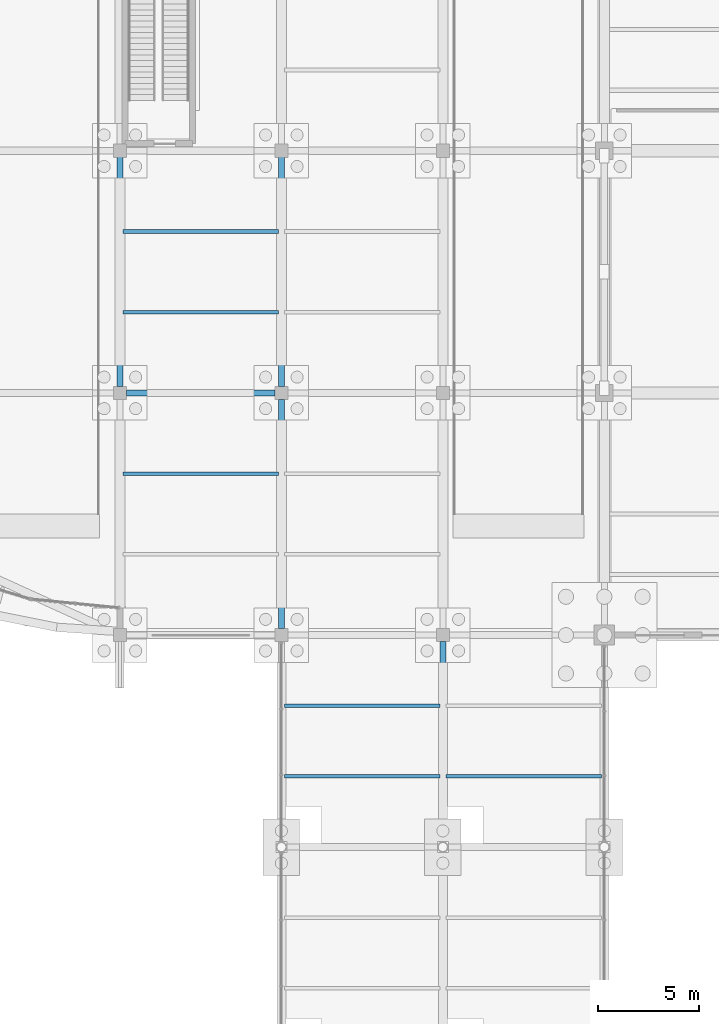
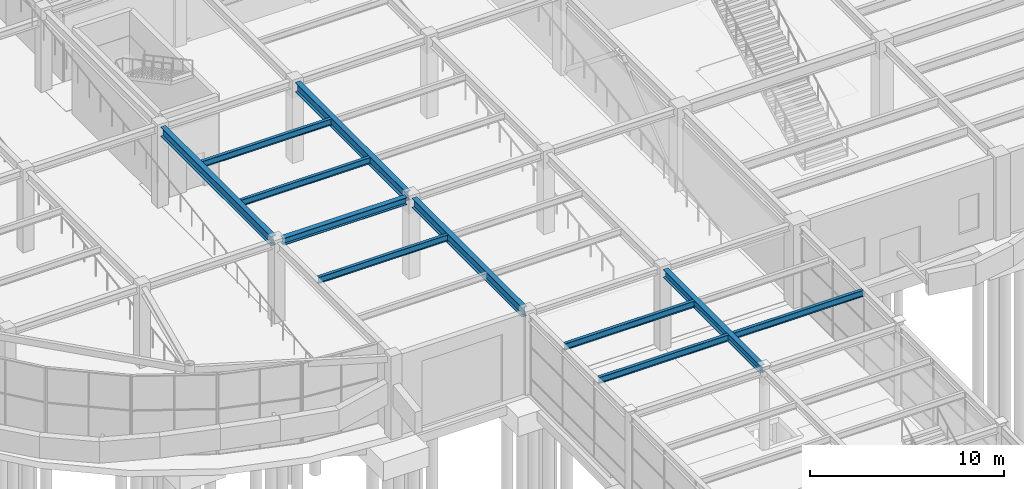
# One storey, part 27 of 85: 11 beams.
"""IFC4 building model written with IfcOpenShell, lengths in metres."""

from ifc_helpers import new_model, si_unit, direction, frame, origin, origin_2d, place, context, subcontext, project, spatial, i_section, extrude, material, material_profile, profile_set, type_object, element, save


model = new_model("IFC4")

# Units and contexts
model_context = context("Model", 3, precision=1e-05, world=origin(), true_north=direction((0.0, 1.0)))
body_context = subcontext(model_context, "Body", "Model", "MODEL_VIEW")
ifc_project = project(units=[si_unit("LENGTHUNIT", "METRE"), si_unit("AREAUNIT", "SQUARE_METRE"), si_unit("VOLUMEUNIT", "CUBIC_METRE"), si_unit("PLANEANGLEUNIT", "RADIAN"), si_unit("MASSUNIT", "GRAM", prefix="KILO")], contexts=[model_context])

# Site, building, storey
site_placement = place(None, origin())
site = spatial("IfcSite", under=ifc_project, at=site_placement, CompositionType="ELEMENT")
building_placement = place(site_placement, origin())
building = spatial("IfcBuilding", under=site, at=building_placement, Name="Keelwater Ferry Terminal", CompositionType="ELEMENT")
storey_placement = place(building_placement, origin())
storey = spatial("IfcBuildingStorey", under=building, at=storey_placement, Name="L00", CompositionType="ELEMENT", Elevation=0.0)

# Beams
ifc_material_1 = material(Name="Steel S355", Category="steel")
ifc_material_profile_1 = material_profile(ifc_material_1, i_section(OverallWidth=0.300048828125, OverallDepth=0.60009765625, WebThickness=0.015380859375, FlangeThickness=0.030029296875, at=origin_2d()), Name="HEB 600")
ifc_profile_set_1 = profile_set([ifc_material_profile_1], Name="Steel S355")
beam_type_1 = type_object("IfcBeamType", Name="G3 HEB 600", PredefinedType="BEAM", material=ifc_profile_set_1)
beam_1_placement = place(storey_placement, frame((24.0, 54.318115234375, 4.760009765625), z_axis=(0.0, 1.0, 0.0), x_axis=(-1.0, 0.0, 0.0)))
element("IfcBeam", 1, at=beam_1_placement, inside=storey, type_object=beam_type_1, Name="Beam BM-L00-0159", PredefinedType="BEAM", context=body_context, shape_type="SweptSolid", body=[
    extrude(i_section(OverallWidth=0.300048828125, OverallDepth=0.60009765625, WebThickness=0.015380859375, FlangeThickness=0.030029296875, at=origin_2d()), origin(), (0.0, 0.0, 1.0), 11.36376953125),
])
ifc_material_2 = material(Name="Steel S355", Category="steel")
ifc_material_profile_2 = material_profile(ifc_material_2, i_section(OverallWidth=0.300048828125, OverallDepth=0.60009765625, WebThickness=0.015380859375, FlangeThickness=0.030029296875, at=origin_2d()), Name="HEB 600")
ifc_profile_set_2 = profile_set([ifc_material_profile_2], Name="Steel S355")
beam_type_2 = type_object("IfcBeamType", Name="G3E HEB 600", PredefinedType="BEAM", material=ifc_profile_set_2)
for number, where, z_axis, x_axis, name in (
    (2, (32.0, 42.318115234375, 4.760009765625), (0.0, 1.0, 0.0), (-1.0, 0.0, 0.0), "Beam BM-L00-0168"),
    (3, (32.0, 54.318115234375, 4.760009765625), (0.0, 1.0, 0.0), (-1.0, 0.0, 0.0), "Beam BM-L00-0169"),
):
    element("IfcBeam", number, at=place(storey_placement, frame(where, z_axis=z_axis, x_axis=x_axis)), inside=storey, type_object=beam_type_2, Name=name, PredefinedType="BEAM", context=body_context, shape_type="SweptSolid", body=[
        extrude(i_section(OverallWidth=0.300048828125, OverallDepth=0.60009765625, WebThickness=0.015380859375, FlangeThickness=0.030029296875, at=origin_2d()), origin(), (0.0, 0.0, 1.0), 11.36376953125),
    ])
ifc_material_3 = material(Name="Steel S355", Category="steel")
ifc_material_profile_3 = material_profile(ifc_material_3, i_section(OverallWidth=0.300048828125, OverallDepth=0.5, WebThickness=0.014404296875, FlangeThickness=0.028076171875, at=origin_2d()), Name="HEB 500")
ifc_profile_set_3 = profile_set([ifc_material_profile_3], Name="Steel S355")
beam_type_3 = type_object("IfcBeamType", Name="G5 HEB 500", PredefinedType="BEAM", material=ifc_profile_set_3)
beam_2_placement = place(storey_placement, frame((40.0, 31.7080078125, 4.81005859375), z_axis=(0.0, 1.0, 0.0), x_axis=(-1.0, 0.0, 0.0)))
element("IfcBeam", 4, at=beam_2_placement, inside=storey, type_object=beam_type_3, Name="Beam BM-L00-0177", PredefinedType="BEAM", context=body_context, shape_type="SweptSolid", body=[
    extrude(i_section(OverallWidth=0.300048828125, OverallDepth=0.5, WebThickness=0.014404296875, FlangeThickness=0.028076171875, at=origin_2d()), origin(), (0.0, 0.0, 1.0), 9.973876953125),
])
ifc_material_4 = material(Name="Steel S355", Category="steel")
ifc_material_profile_4 = material_profile(ifc_material_4, i_section(OverallWidth=0.300048828125, OverallDepth=0.449951171875, WebThickness=0.013916015625, FlangeThickness=0.02587890625, at=origin_2d()), Name="HEB 450")
ifc_profile_set_4 = profile_set([ifc_material_profile_4], Name="Steel S355")
beam_type_4 = type_object("IfcBeamType", Name="G6 HEB 450", PredefinedType="BEAM", material=ifc_profile_set_4)
beam_3_placement = place(storey_placement, frame((24.318115234375, 54.0, 4.8349609375), z_axis=(1.0, 0.0, 0.0), x_axis=(0.0, 1.0, 0.0)))
element("IfcBeam", 5, at=beam_3_placement, inside=storey, type_object=beam_type_4, Name="Beam BM-L00-0033", PredefinedType="BEAM", context=body_context, shape_type="SweptSolid", body=[
    extrude(i_section(OverallWidth=0.300048828125, OverallDepth=0.449951171875, WebThickness=0.013916015625, FlangeThickness=0.02587890625, at=origin_2d()), origin(), (0.0, 0.0, 1.0), 7.36376953125),
])
ifc_material_5 = material(Name="Steel S355", Category="steel")
ifc_material_profile_5 = material_profile(ifc_material_5, i_section(OverallWidth=0.179931640625, OverallDepth=0.39990234375, WebThickness=0.008544921875, FlangeThickness=0.013427734375, at=origin_2d()), Name="IPE 400")
ifc_profile_set_5 = profile_set([ifc_material_profile_5], Name="Steel S355")
beam_type_5 = type_object("IfcBeamType", Name="J5 IPE 400", PredefinedType="JOIST", material=ifc_profile_set_5)
for number, where, z_axis, x_axis, name in (
    (6, (24.14990234375, 50.0, 4.860107421875), (1.0, 0.0, 0.0), (0.0, 1.0, 0.0), "Beam BM-L00-0309"),
    (7, (24.14990234375, 58.0, 4.860107421875), (1.0, 0.0, 0.0), (0.0, 1.0, 0.0), "Beam BM-L00-0310"),
    (8, (24.14990234375, 62.0, 4.860107421875), (1.0, 0.0, 0.0), (0.0, 1.0, 0.0), "Beam BM-L00-0311"),
    (9, (32.14990234375, 35.0, 4.860107421875), (1.0, 0.0, 0.0), (0.0, 1.0, 0.0), "Beam BM-L00-0324"),
    (10, (32.14990234375, 38.5, 4.860107421875), (1.0, 0.0, 0.0), (0.0, 1.0, 0.0), "Beam BM-L00-0325"),
    (11, (40.14990234375, 35.0, 4.860107421875), (1.0, 0.0, 0.0), (0.0, 1.0, 0.0), "Beam BM-L00-0340"),
):
    element("IfcBeam", number, at=place(storey_placement, frame(where, z_axis=z_axis, x_axis=x_axis)), inside=storey, type_object=beam_type_5, Name=name, PredefinedType="JOIST", context=body_context, shape_type="SweptSolid", body=[
        extrude(i_section(OverallWidth=0.179931640625, OverallDepth=0.39990234375, WebThickness=0.008544921875, FlangeThickness=0.013427734375, at=origin_2d()), origin(), (0.0, 0.0, 1.0), 7.7001953125),
    ])

save(model, "model.ifc")
